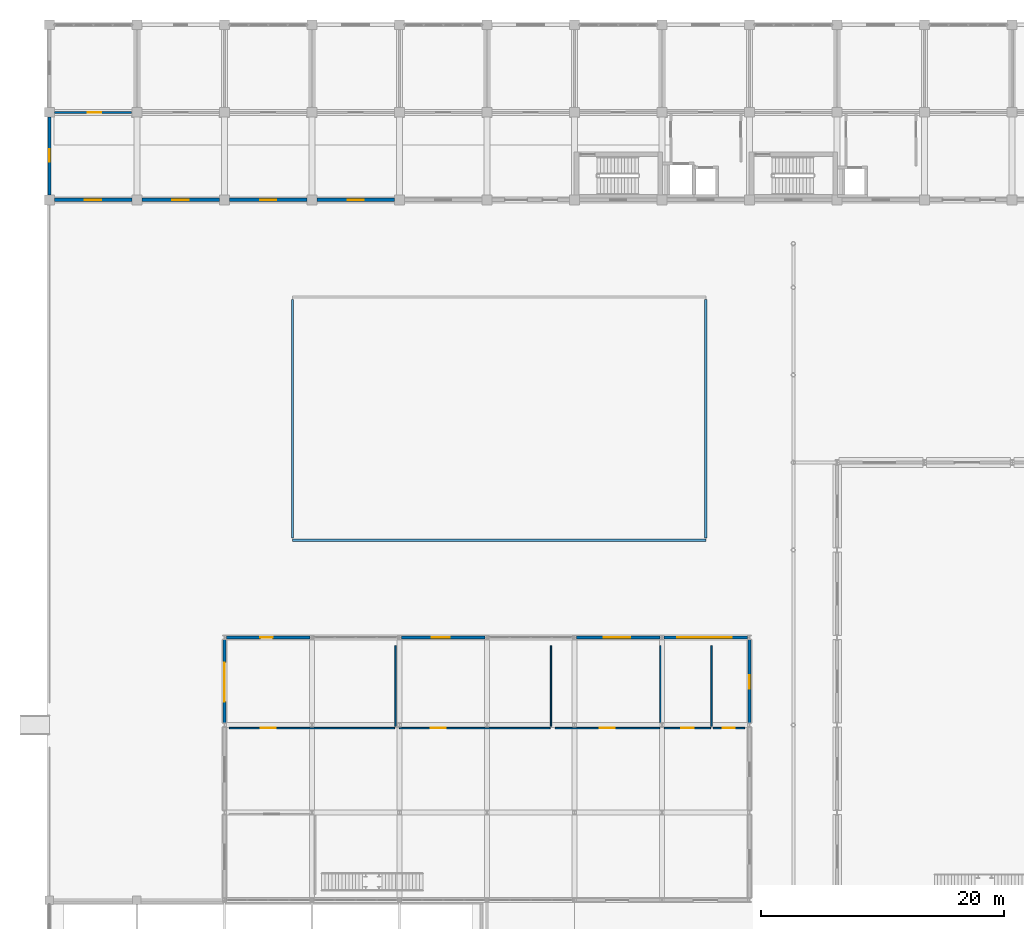
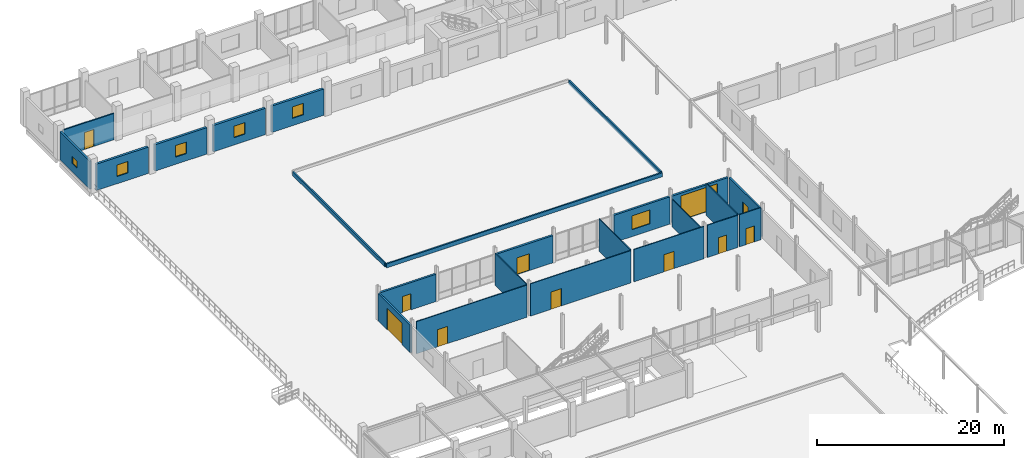
# One storey, part 115 of 139: 24 walls, 11 doors, 6 windows, 17 openings.
"""IFC4 building model written with IfcOpenShell, lengths in metres."""

from ifc_helpers import new_model, si_unit, direction, frame, frame_2d, origin, place, context, subcontext, project, spatial, rectangle, extrude, material, layer, layer_set, type_object, element, fill, save


model = new_model("IFC4")

# Units and contexts
model_context = context("Model", 3, precision=1e-05, world=origin(), true_north=direction((0.0, 1.0)))
body_context = subcontext(model_context, "Body", "Model", "MODEL_VIEW")
ifc_project = project(units=[si_unit("LENGTHUNIT", "METRE"), si_unit("AREAUNIT", "SQUARE_METRE"), si_unit("VOLUMEUNIT", "CUBIC_METRE"), si_unit("PLANEANGLEUNIT", "RADIAN"), si_unit("MASSUNIT", "GRAM", prefix="KILO")], contexts=[model_context])

# Site, building, storey
site_placement = place(None, origin())
site = spatial("IfcSite", under=ifc_project, at=site_placement, CompositionType="ELEMENT")
building_placement = place(site_placement, origin())
building = spatial("IfcBuilding", under=site, at=building_placement, Name="Suanplinth Sawtooth Commons", CompositionType="ELEMENT")
storey_placement = place(building_placement, origin())
storey = spatial("IfcBuildingStorey", under=building, at=storey_placement, Name="L00", CompositionType="ELEMENT", Elevation=0.0)

# Wall, opening, window
ifc_material_1 = material(Name="Precast concrete C40/50", Category="concrete")
ifc_layer_1 = layer(ifc_material_1, 0.280029296875, Name="Insulated precast architectural facade wall 280mm")
ifc_layer_set_1 = layer_set([ifc_layer_1], Name="Precast concrete C40/50")
wall_type_1 = type_object("IfcWallType", Name="W-EX01", PredefinedType="ELEMENTEDWALL", material=ifc_layer_set_1)
wall_1_placement = place(storey_placement, frame((0.39990234375, 108.0, 0.0), z_axis=(0.0, 0.0, 1.0), x_axis=(1.0, 0.0, 0.0)))
wall_1 = element("IfcWall", 1, at=wall_1_placement, inside=storey, type_object=wall_type_1, Name="Courtyard Wall W-L00-A-S-0", PredefinedType="ELEMENTEDWALL", context=body_context, shape_type="SweptSolid", body=[
    extrude(rectangle(XDim=6.400146484375, YDim=0.280029296875, at=frame_2d((3.2001953125, 0.0))), origin(), (0.0, 0.0, 1.0), 3.43505859375),
])
opening_1_placement = place(wall_1_placement, frame((2.52490234375, 0.0, 0.949951171875)))
opening_1 = element("IfcOpeningElement", 2, at=opening_1_placement, cuts=wall_1, Name="Opening W0074", PredefinedType="OPENING", context=body_context, shape_type="SweptSolid", body=[
    extrude(rectangle(XDim=1.35009765625, YDim=1.5, at=frame_2d((0.675048828125, 0.75))), frame((0.0, 0.15478515625, 0.0), z_axis=(0.0, -1.0, 0.0), x_axis=(1.0, 0.0, 0.0)), (0.0, 0.0, 1.0), 0.309814453125),
])
ifc_material_2 = material(Name="Thermally broken aluminium and low-E double glazing", Category="aluminium")
window_type_1 = type_object("IfcWindowType", Name="WN-14", PartitioningType="SINGLE_PANEL", PredefinedType="WINDOW", material=ifc_material_2)
window_1_placement = place(opening_1_placement, origin())
window_1 = element("IfcWindow", 3, at=window_1_placement, inside=storey, type_object=window_type_1, Name="Courtyard Window L00-A-0", OverallHeight=1.5, OverallWidth=1.35009765625, PartitioningType="SINGLE_PANEL", PredefinedType="WINDOW", context=body_context, shape_type="SweptSolid", body=[
    extrude(rectangle(XDim=1.35009765625, YDim=1.5, at=frame_2d((0.675048828125, 0.75))), frame((0.0, 0.030029296875, 0.0), z_axis=(0.0, -1.0, 0.0), x_axis=(1.0, 0.0, 0.0)), (0.0, 0.0, 1.0), 0.06005859375),
])
fill(opening_1, window_1)

wall_2_placement = place(storey_placement, frame((7.60009765625, 108.0, 0.0), z_axis=(0.0, 0.0, 1.0), x_axis=(1.0, 0.0, 0.0)))
wall_2 = element("IfcWall", 4, at=wall_2_placement, inside=storey, type_object=wall_type_1, Name="Courtyard Wall W-L00-A-S-1", PredefinedType="ELEMENTEDWALL", context=body_context, shape_type="SweptSolid", body=[
    extrude(rectangle(XDim=6.39990234375, YDim=0.280029296875, at=frame_2d((3.199951171875, 0.0))), origin(), (0.0, 0.0, 1.0), 3.43505859375),
])
opening_2_placement = place(wall_2_placement, frame((2.52490234375, 0.0, 0.949951171875)))
opening_2 = element("IfcOpeningElement", 5, at=opening_2_placement, cuts=wall_2, Name="Opening W0075", PredefinedType="OPENING", context=body_context, shape_type="SweptSolid", body=[
    extrude(rectangle(XDim=1.35009765625, YDim=1.5, at=frame_2d((0.675048828125, 0.75))), frame((0.0, 0.15478515625, 0.0), z_axis=(0.0, -1.0, 0.0), x_axis=(1.0, 0.0, 0.0)), (0.0, 0.0, 1.0), 0.309814453125),
])
window_2_placement = place(opening_2_placement, origin())
window_2 = element("IfcWindow", 6, at=window_2_placement, inside=storey, type_object=window_type_1, Name="Courtyard Window L00-A-1", OverallHeight=1.5, OverallWidth=1.35009765625, PartitioningType="SINGLE_PANEL", PredefinedType="WINDOW", context=body_context, shape_type="SweptSolid", body=[
    extrude(rectangle(XDim=1.35009765625, YDim=1.5, at=frame_2d((0.675048828125, 0.75))), frame((0.0, 0.030029296875, 0.0), z_axis=(0.0, -1.0, 0.0), x_axis=(1.0, 0.0, 0.0)), (0.0, 0.0, 1.0), 0.06005859375),
])
fill(opening_2, window_2)

wall_3_placement = place(storey_placement, frame((14.800048828125, 108.0, 0.0), z_axis=(0.0, 0.0, 1.0), x_axis=(1.0, 0.0, 0.0)))
wall_3 = element("IfcWall", 7, at=wall_3_placement, inside=storey, type_object=wall_type_1, Name="Courtyard Wall W-L00-A-S-2", PredefinedType="ELEMENTEDWALL", context=body_context, shape_type="SweptSolid", body=[
    extrude(rectangle(XDim=6.39990234375, YDim=0.280029296875, at=frame_2d((3.199951171875, 0.0))), origin(), (0.0, 0.0, 1.0), 3.43505859375),
])
opening_3_placement = place(wall_3_placement, frame((2.52490234375, 0.0, 0.949951171875)))
opening_3 = element("IfcOpeningElement", 8, at=opening_3_placement, cuts=wall_3, Name="Opening W0076", PredefinedType="OPENING", context=body_context, shape_type="SweptSolid", body=[
    extrude(rectangle(XDim=1.35009765625, YDim=1.5, at=frame_2d((0.675048828125, 0.75))), frame((0.0, 0.15478515625, 0.0), z_axis=(0.0, -1.0, 0.0), x_axis=(1.0, 0.0, 0.0)), (0.0, 0.0, 1.0), 0.309814453125),
])
window_3_placement = place(opening_3_placement, origin())
window_3 = element("IfcWindow", 9, at=window_3_placement, inside=storey, type_object=window_type_1, Name="Courtyard Window L00-A-2", OverallHeight=1.5, OverallWidth=1.35009765625, PartitioningType="SINGLE_PANEL", PredefinedType="WINDOW", context=body_context, shape_type="SweptSolid", body=[
    extrude(rectangle(XDim=1.35009765625, YDim=1.5, at=frame_2d((0.675048828125, 0.75))), frame((0.0, 0.030029296875, 0.0), z_axis=(0.0, -1.0, 0.0), x_axis=(1.0, 0.0, 0.0)), (0.0, 0.0, 1.0), 0.06005859375),
])
fill(opening_3, window_3)

wall_4_placement = place(storey_placement, frame((22.0, 108.0, 0.0), z_axis=(0.0, 0.0, 1.0), x_axis=(1.0, 0.0, 0.0)))
wall_4 = element("IfcWall", 10, at=wall_4_placement, inside=storey, type_object=wall_type_1, Name="Courtyard Wall W-L00-A-S-3", PredefinedType="ELEMENTEDWALL", context=body_context, shape_type="SweptSolid", body=[
    extrude(rectangle(XDim=6.39990234375, YDim=0.280029296875, at=frame_2d((3.199951171875, 0.0))), origin(), (0.0, 0.0, 1.0), 3.43505859375),
])
opening_4_placement = place(wall_4_placement, frame((2.52490234375, 0.0, 0.949951171875)))
opening_4 = element("IfcOpeningElement", 11, at=opening_4_placement, cuts=wall_4, Name="Opening W0078", PredefinedType="OPENING", context=body_context, shape_type="SweptSolid", body=[
    extrude(rectangle(XDim=1.35009765625, YDim=1.5, at=frame_2d((0.675048828125, 0.75))), frame((0.0, 0.15478515625, 0.0), z_axis=(0.0, -1.0, 0.0), x_axis=(1.0, 0.0, 0.0)), (0.0, 0.0, 1.0), 0.309814453125),
])
window_4_placement = place(opening_4_placement, origin())
window_4 = element("IfcWindow", 12, at=window_4_placement, inside=storey, type_object=window_type_1, Name="Courtyard Window L00-A-3", OverallHeight=1.5, OverallWidth=1.35009765625, PartitioningType="SINGLE_PANEL", PredefinedType="WINDOW", context=body_context, shape_type="SweptSolid", body=[
    extrude(rectangle(XDim=1.35009765625, YDim=1.5, at=frame_2d((0.675048828125, 0.75))), frame((0.0, 0.030029296875, 0.0), z_axis=(0.0, -1.0, 0.0), x_axis=(1.0, 0.0, 0.0)), (0.0, 0.0, 1.0), 0.06005859375),
])
fill(opening_4, window_4)

# Wall, opening, door
ifc_material_3 = material(Name="Autoclaved aerated concrete masonry", Category="masonry")
ifc_layer_2 = layer(ifc_material_3, 0.25, Name="Rendered AAC tropical cavity wall 250mm")
ifc_layer_set_2 = layer_set([ifc_layer_2], Name="Autoclaved aerated concrete masonry")
wall_type_2 = type_object("IfcWallType", Name="W-EX04", PredefinedType="SOLIDWALL", material=ifc_layer_set_2)
wall_5_placement = place(storey_placement, frame((14.550048828125, 72.0, 0.0), z_axis=(0.0, 0.0, 1.0), x_axis=(1.0, 0.0, 0.0)))
wall_5 = element("IfcWall", 13, at=wall_5_placement, inside=storey, type_object=wall_type_2, Name="Market North Service Wall 2", PredefinedType="SOLIDWALL", context=body_context, shape_type="SweptSolid", body=[
    extrude(rectangle(XDim=6.89990234375, YDim=0.25, at=frame_2d((3.449951171875, 0.0))), origin(), (0.0, 0.0, 1.0), 3.550048828125),
])
opening_5_placement = place(wall_5_placement, frame((2.800048828125, 0.0, 0.0)))
opening_5 = element("IfcOpeningElement", 14, at=opening_5_placement, cuts=wall_5, Name="Opening ED0012", PredefinedType="OPENING", context=body_context, shape_type="SweptSolid", body=[
    extrude(rectangle(XDim=1.02001953125, YDim=2.10009765625, at=frame_2d((0.510009765625, 1.050048828125))), frame((0.0, 0.139892578125, 0.0), z_axis=(0.0, -1.0, 0.0), x_axis=(1.0, 0.0, 0.0)), (0.0, 0.0, 1.0), 0.27978515625),
])
ifc_material_4 = material(Name="Anodized aluminium", Category="aluminium")
door_type_1 = type_object("IfcDoorType", Name="ED-09", OperationType="NOTDEFINED", PredefinedType="DOOR", material=ifc_material_4)
door_1_placement = place(opening_5_placement, frame((1.02001953125, 0.0, 0.0), z_axis=(0.0, 0.0, 1.0), x_axis=(-1.0, 0.0, 0.0)))
door_1 = element("IfcDoor", 15, at=door_1_placement, inside=storey, type_object=door_type_1, Name="Market Utility Access Door", OperationType="SINGLE_SWING_LEFT", OverallHeight=2.10009765625, OverallWidth=1.02001953125, PredefinedType="DOOR", context=body_context, shape_type="SweptSolid", body=[
    extrude(rectangle(XDim=1.02001953125, YDim=2.10009765625, at=frame_2d((0.510009765625, 1.050048828125))), frame((0.0, 0.02490234375, 0.0), z_axis=(0.0, -1.0, 0.0), x_axis=(1.0, 0.0, 0.0)), (0.0, 0.0, 1.0), 0.050048828125),
])
fill(opening_5, door_1)

wall_6_placement = place(storey_placement, frame((28.949951171875, 72.0, 0.0), z_axis=(0.0, 0.0, 1.0), x_axis=(1.0, 0.0, 0.0)))
wall_6 = element("IfcWall", 16, at=wall_6_placement, inside=storey, type_object=wall_type_2, Name="Market North Service Wall 4", PredefinedType="SOLIDWALL", context=body_context, shape_type="SweptSolid", body=[
    extrude(rectangle(XDim=6.900146484375, YDim=0.25, at=frame_2d((3.4501953125, 0.0))), origin(), (0.0, 0.0, 1.0), 3.550048828125),
])
opening_6_placement = place(wall_6_placement, frame((2.5, 0.0, 0.0)))
opening_6 = element("IfcOpeningElement", 17, at=opening_6_placement, cuts=wall_6, Name="Opening ED0013", PredefinedType="OPENING", context=body_context, shape_type="SweptSolid", body=[
    extrude(rectangle(XDim=1.5, YDim=2.199951171875, at=frame_2d((0.75, 1.10009765625))), frame((0.0, 0.139892578125, 0.0), z_axis=(0.0, -1.0, 0.0), x_axis=(1.0, 0.0, 0.0)), (0.0, 0.0, 1.0), 0.27978515625),
])
ifc_material_5 = material(Name="Galvanized painted steel", Category="steel")
door_type_2 = type_object("IfcDoorType", Name="ED-08", OperationType="DOUBLE_DOOR_SINGLE_SWING", PredefinedType="DOOR", material=ifc_material_5)
door_2_placement = place(opening_6_placement, frame((1.5, 0.0, 0.0), z_axis=(0.0, 0.0, 1.0), x_axis=(-1.0, 0.0, 0.0)))
door_2 = element("IfcDoor", 18, at=door_2_placement, inside=storey, type_object=door_type_2, Name="Market Cold-Store Service Double Door", OperationType="DOUBLE_DOOR_SINGLE_SWING", OverallHeight=2.199951171875, OverallWidth=1.5, PredefinedType="DOOR", context=body_context, shape_type="SweptSolid", body=[
    extrude(rectangle(XDim=1.5, YDim=2.199951171875, at=frame_2d((0.75, 1.10009765625))), frame((0.0, 0.02490234375, 0.0), z_axis=(0.0, -1.0, 0.0), x_axis=(1.0, 0.0, 0.0)), (0.0, 0.0, 1.0), 0.050048828125),
])
fill(opening_6, door_2)

# Wall, opening, window
wall_7_placement = place(storey_placement, frame((43.35009765625, 72.0, 0.0), z_axis=(0.0, 0.0, 1.0), x_axis=(1.0, 0.0, 0.0)))
wall_7 = element("IfcWall", 19, at=wall_7_placement, inside=storey, type_object=wall_type_2, Name="Market North Service Wall 6", PredefinedType="SOLIDWALL", context=body_context, shape_type="SweptSolid", body=[
    extrude(rectangle(XDim=6.89990234375, YDim=0.25, at=frame_2d((3.449951171875, 0.0))), origin(), (0.0, 0.0, 1.0), 3.550048828125),
])
opening_7_placement = place(wall_7_placement, frame((2.25, 0.0, 0.89990234375)))
opening_7 = element("IfcOpeningElement", 20, at=opening_7_placement, cuts=wall_7, Name="Opening W0061", PredefinedType="OPENING", context=body_context, shape_type="SweptSolid", body=[
    extrude(rectangle(XDim=2.199951171875, YDim=1.800048828125, at=frame_2d((1.10009765625, 0.89990234375))), frame((0.0, 0.139892578125, 0.0), z_axis=(0.0, -1.0, 0.0), x_axis=(1.0, 0.0, 0.0)), (0.0, 0.0, 1.0), 0.27978515625),
])
window_type_2 = type_object("IfcWindowType", Name="WN-11", PartitioningType="TRIPLE_PANEL_VERTICAL", PredefinedType="WINDOW", material=ifc_material_2)
window_5_placement = place(opening_7_placement, origin())
window_5 = element("IfcWindow", 21, at=window_5_placement, inside=storey, type_object=window_type_2, Name="Market Display Window 6", OverallHeight=1.800048828125, OverallWidth=2.199951171875, PartitioningType="TRIPLE_PANEL_VERTICAL", PredefinedType="WINDOW", context=body_context, shape_type="SweptSolid", body=[
    extrude(rectangle(XDim=2.199951171875, YDim=1.800048828125, at=frame_2d((1.10009765625, 0.89990234375))), frame((0.0, 0.030029296875, 0.0), z_axis=(0.0, -1.0, 0.0), x_axis=(1.0, 0.0, 0.0)), (0.0, 0.0, 1.0), 0.06005859375),
])
fill(opening_7, window_5)

# Wall, opening, door
wall_8_placement = place(storey_placement, frame((50.550048828125, 72.0, 0.0), z_axis=(0.0, 0.0, 1.0), x_axis=(1.0, 0.0, 0.0)))
wall_8 = element("IfcWall", 22, at=wall_8_placement, inside=storey, type_object=wall_type_2, Name="Market North Service Wall 7", PredefinedType="SOLIDWALL", context=body_context, shape_type="SweptSolid", body=[
    extrude(rectangle(XDim=6.89990234375, YDim=0.25, at=frame_2d((3.449951171875, 0.0))), origin(), (0.0, 0.0, 1.0), 3.550048828125),
])
opening_8_placement = place(wall_8_placement, frame((1.10009765625, 0.0, 0.0)))
opening_8 = element("IfcOpeningElement", 23, at=opening_8_placement, cuts=wall_8, Name="Opening G0016", PredefinedType="OPENING", context=body_context, shape_type="SweptSolid", body=[
    extrude(rectangle(XDim=4.5, YDim=3.199951171875, at=frame_2d((2.25, 1.60009765625))), frame((0.0, 0.139892578125, 0.0), z_axis=(0.0, -1.0, 0.0), x_axis=(1.0, 0.0, 0.0)), (0.0, 0.0, 1.0), 0.27978515625),
])
ifc_material_6 = material(Name="Perforated galvanized steel slats", Category="steel")
door_type_3 = type_object("IfcDoorType", Name="VG-02", OperationType="ROLLINGUP", PredefinedType="GATE", material=ifc_material_6)
door_3_placement = place(opening_8_placement, frame((4.5, 0.0, 0.0), z_axis=(0.0, 0.0, 1.0), x_axis=(-1.0, 0.0, 0.0)))
door_3 = element("IfcDoor", 24, at=door_3_placement, inside=storey, type_object=door_type_3, Name="Market Loading Bay Roller Shutter", OperationType="ROLLINGUP", OverallHeight=3.199951171875, OverallWidth=4.5, PredefinedType="GATE", context=body_context, shape_type="SweptSolid", body=[
    extrude(rectangle(XDim=4.5, YDim=3.199951171875, at=frame_2d((2.25, 1.60009765625))), frame((0.0, 0.02490234375, 0.0), z_axis=(0.0, -1.0, 0.0), x_axis=(1.0, 0.0, 0.0)), (0.0, 0.0, 1.0), 0.050048828125),
])
fill(opening_8, door_3)

ifc_layer_3 = layer(ifc_material_1, 0.219970703125, Name="Civic pavilion insulated facade wall 220mm")
ifc_layer_set_3 = layer_set([ifc_layer_3], Name="Precast concrete C40/50")
wall_type_3 = type_object("IfcWallType", Name="W-EX05", PredefinedType="ELEMENTEDWALL", material=ifc_layer_set_3)
wall_9_placement = place(storey_placement, frame((14.39990234375, 64.97998046875, 0.0), z_axis=(0.0, 0.0, 1.0), x_axis=(0.0, 1.0, 0.0)))
wall_9 = element("IfcWall", 25, at=wall_9_placement, inside=storey, type_object=wall_type_3, Name="Market W Wall L00-9", PredefinedType="ELEMENTEDWALL", context=body_context, shape_type="SweptSolid", body=[
    extrude(rectangle(XDim=6.840087890625, YDim=0.219970703125, at=frame_2d((3.419921875, 0.0))), origin(), (0.0, 0.0, 1.0), 3.5849609375),
])
opening_9_placement = place(wall_9_placement, frame((1.75, 0.0, 0.0)))
opening_9 = element("IfcOpeningElement", 26, at=opening_9_placement, cuts=wall_9, Name="Opening G0019", PredefinedType="OPENING", context=body_context, shape_type="SweptSolid", body=[
    extrude(rectangle(XDim=3.199951171875, YDim=2.800048828125, at=frame_2d((1.60009765625, 1.39990234375))), frame((0.0, 0.125, 0.0), z_axis=(0.0, -1.0, 0.0), x_axis=(1.0, 0.0, 0.0)), (0.0, 0.0, 1.0), 0.249755859375),
])
ifc_material_7 = material(Name="Galvanized steel slats", Category="steel")
door_type_4 = type_object("IfcDoorType", Name="VG-06", OperationType="ROLLINGUP", PredefinedType="GATE", material=ifc_material_7)
door_4_placement = place(opening_9_placement, frame((3.199951171875, 0.0, 0.0), z_axis=(0.0, 0.0, 1.0), x_axis=(-1.0, 0.0, 0.0)))
door_4 = element("IfcDoor", 27, at=door_4_placement, inside=storey, type_object=door_type_4, Name="Market Service Bay Gate", OperationType="ROLLINGUP", OverallHeight=2.800048828125, OverallWidth=3.199951171875, PredefinedType="GATE", context=body_context, shape_type="SweptSolid", body=[
    extrude(rectangle(XDim=3.199951171875, YDim=2.800048828125, at=frame_2d((1.60009765625, 1.39990234375))), frame((0.0, 0.02490234375, 0.0), z_axis=(0.0, -1.0, 0.0), x_axis=(1.0, 0.0, 0.0)), (0.0, 0.0, 1.0), 0.050048828125),
])
fill(opening_9, door_4)

wall_10_placement = place(storey_placement, frame((57.60009765625, 64.97998046875, 0.0), z_axis=(0.0, 0.0, 1.0), x_axis=(0.0, 1.0, 0.0)))
wall_10 = element("IfcWall", 28, at=wall_10_placement, inside=storey, type_object=wall_type_3, Name="Market E Wall L00-9", PredefinedType="ELEMENTEDWALL", context=body_context, shape_type="SweptSolid", body=[
    extrude(rectangle(XDim=6.840087890625, YDim=0.219970703125, at=frame_2d((3.419921875, 0.0))), origin(), (0.0, 0.0, 1.0), 3.5849609375),
])
opening_10_placement = place(wall_10_placement, frame((2.800048828125, 0.0, 0.0)))
opening_10 = element("IfcOpeningElement", 29, at=opening_10_placement, cuts=wall_10, Name="Opening ED0020", PredefinedType="OPENING", context=body_context, shape_type="SweptSolid", body=[
    extrude(rectangle(XDim=1.10009765625, YDim=2.199951171875, at=frame_2d((0.550048828125, 1.10009765625))), frame((0.0, 0.125, 0.0), z_axis=(0.0, -1.0, 0.0), x_axis=(1.0, 0.0, 0.0)), (0.0, 0.0, 1.0), 0.249755859375),
])
ifc_material_8 = material(Name="Anodized aluminium and clear glass", Category="aluminium")
door_type_5 = type_object("IfcDoorType", Name="ED-06", OperationType="NOTDEFINED", PredefinedType="DOOR", material=ifc_material_8)
door_5_placement = place(opening_10_placement, frame((1.10009765625, 0.0, 0.0), z_axis=(0.0, 0.0, 1.0), x_axis=(-1.0, 0.0, 0.0)))
door_5 = element("IfcDoor", 30, at=door_5_placement, inside=storey, type_object=door_type_5, Name="Market East Arcade Shopfront Door 9", OperationType="SINGLE_SWING_LEFT", OverallHeight=2.199951171875, OverallWidth=1.10009765625, PredefinedType="DOOR", context=body_context, shape_type="SweptSolid", body=[
    extrude(rectangle(XDim=1.10009765625, YDim=2.199951171875, at=frame_2d((0.550048828125, 1.10009765625))), frame((0.0, 0.02490234375, 0.0), z_axis=(0.0, -1.0, 0.0), x_axis=(1.0, 0.0, 0.0)), (0.0, 0.0, 1.0), 0.050048828125),
])
fill(opening_10, door_5)

# Wall, opening, window
ifc_layer_4 = layer(ifc_material_1, 0.22998046875, Name="Stepped terrace insulated precast wall 230mm")
ifc_layer_set_4 = layer_set([ifc_layer_4], Name="Precast concrete C40/50")
wall_type_4 = type_object("IfcWallType", Name="W-EX06", PredefinedType="ELEMENTEDWALL", material=ifc_layer_set_4)
wall_11_placement = place(storey_placement, frame((0.0, 108.39990234375, 0.0), z_axis=(0.0, 0.0, 1.0), x_axis=(0.0, 1.0, 0.0)))
wall_11 = element("IfcWall", 31, at=wall_11_placement, inside=storey, type_object=wall_type_4, Name="End Wall W-L00-A-W-15", PredefinedType="ELEMENTEDWALL", context=body_context, shape_type="SweptSolid", body=[
    extrude(rectangle(XDim=6.400146484375, YDim=0.22998046875, at=frame_2d((3.2001953125, 0.0))), origin(), (0.0, 0.0, 1.0), 3.6650390625),
])
opening_11_placement = place(wall_11_placement, frame((2.75, 0.0, 1.10009765625)))
opening_11 = element("IfcOpeningElement", 32, at=opening_11_placement, cuts=wall_11, Name="Opening W0095", PredefinedType="OPENING", context=body_context, shape_type="SweptSolid", body=[
    extrude(rectangle(XDim=1.0, YDim=0.89990234375, at=frame_2d((0.5, 0.449951171875))), frame((0.0, 0.1298828125, 0.0), z_axis=(0.0, -1.0, 0.0), x_axis=(1.0, 0.0, 0.0)), (0.0, 0.0, 1.0), 0.259765625),
])
window_type_3 = type_object("IfcWindowType", Name="WN-12", PartitioningType="SINGLE_PANEL", PredefinedType="WINDOW", material=ifc_material_2)
window_6_placement = place(opening_11_placement, origin())
window_6 = element("IfcWindow", 33, at=window_6_placement, inside=storey, type_object=window_type_3, Name="End Window L00-A-W-15", OverallHeight=0.89990234375, OverallWidth=1.0, PartitioningType="SINGLE_PANEL", PredefinedType="WINDOW", context=body_context, shape_type="SweptSolid", body=[
    extrude(rectangle(XDim=1.0, YDim=0.89990234375, at=frame_2d((0.5, 0.449951171875))), frame((0.0, 0.030029296875, 0.0), z_axis=(0.0, -1.0, 0.0), x_axis=(1.0, 0.0, 0.0)), (0.0, 0.0, 1.0), 0.06005859375),
])
fill(opening_11, window_6)

# Wall, opening, door
ifc_layer_5 = layer(ifc_material_1, 0.159912109375, Name="Fire-rated corridor and lobby wall 160mm")
ifc_layer_set_5 = layer_set([ifc_layer_5], Name="Precast concrete C40/50")
wall_type_5 = type_object("IfcWallType", Name="W-FW01", PredefinedType="PARTITIONING", material=ifc_layer_set_5)
wall_12_placement = place(storey_placement, frame((0.429931640625, 115.199951171875, 0.0), z_axis=(0.0, 0.0, 1.0), x_axis=(1.0, 0.0, 0.0)))
wall_12 = element("IfcWall", 34, at=wall_12_placement, inside=storey, type_object=wall_type_5, Name="W-A-L00-GROUNDROOM-0-COR", PredefinedType="PARTITIONING", context=body_context, shape_type="SweptSolid", body=[
    extrude(rectangle(XDim=6.340087890625, YDim=0.159912109375, at=frame_2d((3.169921875, 0.0))), origin(), (0.0, 0.0, 1.0), 3.43505859375),
])
opening_12_placement = place(wall_12_placement, frame((2.7099609375, 0.0, 0.0)))
opening_12 = element("IfcOpeningElement", 35, at=opening_12_placement, cuts=wall_12, Name="Opening D0470", PredefinedType="OPENING", context=body_context, shape_type="SweptSolid", body=[
    extrude(rectangle(XDim=1.1201171875, YDim=2.199951171875, at=frame_2d((0.56005859375, 1.10009765625))), frame((0.0, 0.0947265625, 0.0), z_axis=(0.0, -1.0, 0.0), x_axis=(1.0, 0.0, 0.0)), (0.0, 0.0, 1.0), 0.189697265625),
])
ifc_material_9 = material(Name="Teak hardwood", Category="wood")
door_type_6 = type_object("IfcDoorType", Name="D-18", OperationType="NOTDEFINED", PredefinedType="DOOR", material=ifc_material_9)
door_6_placement = place(opening_12_placement, origin())
door_6 = element("IfcDoor", 36, at=door_6_placement, inside=storey, type_object=door_type_6, Name="Unit Entrance Door D0470", OperationType="SINGLE_SWING_RIGHT", OverallHeight=2.199951171875, OverallWidth=1.1201171875, PredefinedType="DOOR", context=body_context, shape_type="SweptSolid", body=[
    extrude(rectangle(XDim=1.1201171875, YDim=2.199951171875, at=frame_2d((0.56005859375, 1.10009765625))), frame((0.0, 0.02490234375, 0.0), z_axis=(0.0, -1.0, 0.0), x_axis=(1.0, 0.0, 0.0)), (0.0, 0.0, 1.0), 0.050048828125),
])
fill(opening_12, door_6)

# Walls
ifc_layer_6 = layer(ifc_material_1, 0.179931640625, Name="Terrace & courtyard planter kerb wall 180mm")
ifc_layer_set_6 = layer_set([ifc_layer_6], Name="Precast concrete C40/50")
wall_type_6 = type_object("IfcWallType", Name="W-PR02", PredefinedType="PARAPET", material=ifc_layer_set_6)
wall_13_placement = place(storey_placement, frame((20.0, 80.0, 0.0), z_axis=(0.0, 0.0, 1.0), x_axis=(1.0, 0.0, 0.0)))
element("IfcWall", 37, at=wall_13_placement, inside=storey, type_object=wall_type_6, Name="North-West Courtyard Tropical Rain Garden Kerb S", PredefinedType="PARAPET", context=body_context, shape_type="SweptSolid", body=[
    extrude(rectangle(XDim=34.0, YDim=0.179931640625, at=frame_2d((17.0, 0.0))), origin(), (0.0, 0.0, 1.0), 0.52001953125),
])
for number, where, z_axis, x_axis, name in (
    (38, (20.0, 80.179931640625, 0.0), (0.0, 0.0, 1.0), (0.0, 1.0, 0.0), "North-West Courtyard Tropical Rain Garden Kerb W"),
    (39, (54.0, 80.179931640625, 0.0), (0.0, 0.0, 1.0), (0.0, 1.0, 0.0), "North-West Courtyard Tropical Rain Garden Kerb E"),
):
    element("IfcWall", number, at=place(storey_placement, frame(where, z_axis=z_axis, x_axis=x_axis)), inside=storey, type_object=wall_type_6, Name=name, PredefinedType="PARAPET", context=body_context, shape_type="SweptSolid", body=[
        extrude(rectangle(XDim=19.64013671875, YDim=0.179931640625, at=frame_2d((9.820068359375, 0.0))), origin(), (0.0, 0.0, 1.0), 0.52001953125),
    ])

# Wall, opening, door
ifc_material_10 = material(Name="Gypsum plasterboard on steel stud", Category="steel")
ifc_layer_7 = layer(ifc_material_10, 0.110107421875, Name="Civic classroom and clinic partition 110mm")
ifc_layer_set_7 = layer_set([ifc_layer_7], Name="Gypsum plasterboard on steel stud")
wall_type_7 = type_object("IfcWallType", Name="W-PT04", PredefinedType="PARTITIONING", material=ifc_layer_set_7)
wall_14_placement = place(storey_placement, frame((14.800048828125, 64.5400390625, 0.0), z_axis=(0.0, 0.0, 1.0), x_axis=(1.0, 0.0, 0.0)))
wall_14 = element("IfcWall", 40, at=wall_14_placement, inside=storey, type_object=wall_type_7, Name="W-L00-MKT-GROCER-S", PredefinedType="PARTITIONING", context=body_context, shape_type="SweptSolid", body=[
    extrude(rectangle(XDim=13.599853515625, YDim=0.110107421875, at=frame_2d((6.7998046875, 0.0))), origin(), (0.0, 0.0, 1.0), 4.199951171875),
])
opening_13_placement = place(wall_14_placement, frame((2.574951171875, 0.0, 0.0)))
opening_13 = element("IfcOpeningElement", 41, at=opening_13_placement, cuts=wall_14, Name="Opening D0459", PredefinedType="OPENING", context=body_context, shape_type="SweptSolid", body=[
    extrude(rectangle(XDim=1.25, YDim=2.25, at=frame_2d((0.625, 1.125))), frame((0.0, 0.06982421875, 0.0), z_axis=(0.0, -1.0, 0.0), x_axis=(1.0, 0.0, 0.0)), (0.0, 0.0, 1.0), 0.139892578125),
])
door_type_7 = type_object("IfcDoorType", Name="D-08", OperationType="NOTDEFINED", PredefinedType="DOOR", material=ifc_material_9)
door_7_placement = place(opening_13_placement, origin())
door_7 = element("IfcDoor", 42, at=door_7_placement, inside=storey, type_object=door_type_7, Name="Civic Room Door D0459", OperationType="SINGLE_SWING_LEFT", OverallHeight=2.25, OverallWidth=1.25, PredefinedType="DOOR", context=body_context, shape_type="SweptSolid", body=[
    extrude(rectangle(XDim=1.25, YDim=2.25, at=frame_2d((0.625, 1.125))), frame((0.0, 0.02490234375, 0.0), z_axis=(0.0, -1.0, 0.0), x_axis=(1.0, 0.0, 0.0)), (0.0, 0.0, 1.0), 0.050048828125),
])
fill(opening_13, door_7)

# Wall
wall_15_placement = place(storey_placement, frame((28.4599609375, 64.679931640625, 0.0), z_axis=(0.0, 0.0, 1.0), x_axis=(0.0, 1.0, 0.0)))
element("IfcWall", 43, at=wall_15_placement, inside=storey, type_object=wall_type_7, Name="W-L00-MKT-GROCER-E", PredefinedType="PARTITIONING", context=body_context, shape_type="SweptSolid", body=[
    extrude(rectangle(XDim=6.64013671875, YDim=0.110107421875, at=frame_2d((3.320068359375, 0.0))), origin(), (0.0, 0.0, 1.0), 4.199951171875),
])

# Wall, opening, door
wall_16_placement = place(storey_placement, frame((28.800048828125, 64.5400390625, 0.0), z_axis=(0.0, 0.0, 1.0), x_axis=(1.0, 0.0, 0.0)))
wall_16 = element("IfcWall", 44, at=wall_16_placement, inside=storey, type_object=wall_type_7, Name="W-L00-MKT-REPAIR-S", PredefinedType="PARTITIONING", context=body_context, shape_type="SweptSolid", body=[
    extrude(rectangle(XDim=12.39990234375, YDim=0.110107421875, at=frame_2d((6.199951171875, 0.0))), origin(), (0.0, 0.0, 1.0), 4.199951171875),
])
opening_14_placement = place(wall_16_placement, frame((2.574951171875, 0.0, 0.0)))
opening_14 = element("IfcOpeningElement", 45, at=opening_14_placement, cuts=wall_16, Name="Opening D0460", PredefinedType="OPENING", context=body_context, shape_type="SweptSolid", body=[
    extrude(rectangle(XDim=1.25, YDim=2.25, at=frame_2d((0.625, 1.125))), frame((0.0, 0.06982421875, 0.0), z_axis=(0.0, -1.0, 0.0), x_axis=(1.0, 0.0, 0.0)), (0.0, 0.0, 1.0), 0.139892578125),
])
door_8_placement = place(opening_14_placement, origin())
door_8 = element("IfcDoor", 46, at=door_8_placement, inside=storey, type_object=door_type_7, Name="Civic Room Door D0460", OperationType="SINGLE_SWING_RIGHT", OverallHeight=2.25, OverallWidth=1.25, PredefinedType="DOOR", context=body_context, shape_type="SweptSolid", body=[
    extrude(rectangle(XDim=1.25, YDim=2.25, at=frame_2d((0.625, 1.125))), frame((0.0, 0.02490234375, 0.0), z_axis=(0.0, -1.0, 0.0), x_axis=(1.0, 0.0, 0.0)), (0.0, 0.0, 1.0), 0.050048828125),
])
fill(opening_14, door_8)

# Wall
wall_17_placement = place(storey_placement, frame((41.260009765625, 64.679931640625, 0.0), z_axis=(0.0, 0.0, 1.0), x_axis=(0.0, 1.0, 0.0)))
element("IfcWall", 47, at=wall_17_placement, inside=storey, type_object=wall_type_7, Name="W-L00-MKT-REPAIR-E", PredefinedType="PARTITIONING", context=body_context, shape_type="SweptSolid", body=[
    extrude(rectangle(XDim=6.64013671875, YDim=0.110107421875, at=frame_2d((3.320068359375, 0.0))), origin(), (0.0, 0.0, 1.0), 4.199951171875),
])

# Wall, opening, door
wall_18_placement = place(storey_placement, frame((41.60009765625, 64.5400390625, 0.0), z_axis=(0.0, 0.0, 1.0), x_axis=(1.0, 0.0, 0.0)))
wall_18 = element("IfcWall", 48, at=wall_18_placement, inside=storey, type_object=wall_type_7, Name="W-L00-MKT-COLD-S", PredefinedType="PARTITIONING", context=body_context, shape_type="SweptSolid", body=[
    extrude(rectangle(XDim=8.599853515625, YDim=0.110107421875, at=frame_2d((4.2998046875, 0.0))), origin(), (0.0, 0.0, 1.0), 4.199951171875),
])
opening_15_placement = place(wall_18_placement, frame((3.675048828125, 0.0, 0.0)))
opening_15 = element("IfcOpeningElement", 49, at=opening_15_placement, cuts=wall_18, Name="Opening D0461", PredefinedType="OPENING", context=body_context, shape_type="SweptSolid", body=[
    extrude(rectangle(XDim=1.25, YDim=2.25, at=frame_2d((0.625, 1.125))), frame((0.0, 0.06982421875, 0.0), z_axis=(0.0, -1.0, 0.0), x_axis=(1.0, 0.0, 0.0)), (0.0, 0.0, 1.0), 0.139892578125),
])
door_9_placement = place(opening_15_placement, origin())
door_9 = element("IfcDoor", 50, at=door_9_placement, inside=storey, type_object=door_type_7, Name="Civic Room Door D0461", OperationType="SINGLE_SWING_LEFT", OverallHeight=2.25, OverallWidth=1.25, PredefinedType="DOOR", context=body_context, shape_type="SweptSolid", body=[
    extrude(rectangle(XDim=1.25, YDim=2.25, at=frame_2d((0.625, 1.125))), frame((0.0, 0.02490234375, 0.0), z_axis=(0.0, -1.0, 0.0), x_axis=(1.0, 0.0, 0.0)), (0.0, 0.0, 1.0), 0.050048828125),
])
fill(opening_15, door_9)

# Wall
wall_19_placement = place(storey_placement, frame((50.260009765625, 64.97998046875, 0.0), z_axis=(0.0, 0.0, 1.0), x_axis=(0.0, 1.0, 0.0)))
element("IfcWall", 51, at=wall_19_placement, inside=storey, type_object=wall_type_7, Name="W-L00-MKT-COLD-E", PredefinedType="PARTITIONING", context=body_context, shape_type="SweptSolid", body=[
    extrude(rectangle(XDim=6.340087890625, YDim=0.110107421875, at=frame_2d((3.169921875, 0.0))), origin(), (0.0, 0.0, 1.0), 3.5849609375),
])

# Wall, opening, door
wall_20_placement = place(storey_placement, frame((50.60009765625, 64.5400390625, 0.0), z_axis=(0.0, 0.0, 1.0), x_axis=(1.0, 0.0, 0.0)))
wall_20 = element("IfcWall", 52, at=wall_20_placement, inside=storey, type_object=wall_type_7, Name="W-L00-MKT-WCP-S", PredefinedType="PARTITIONING", context=body_context, shape_type="SweptSolid", body=[
    extrude(rectangle(XDim=3.7998046875, YDim=0.110107421875, at=frame_2d((1.89990234375, 0.0))), origin(), (0.0, 0.0, 1.0), 4.199951171875),
])
opening_16_placement = place(wall_20_placement, frame((1.39990234375, 0.0, 0.0)))
opening_16 = element("IfcOpeningElement", 53, at=opening_16_placement, cuts=wall_20, Name="Opening D0462", PredefinedType="OPENING", context=body_context, shape_type="SweptSolid", body=[
    extrude(rectangle(XDim=1.0, YDim=2.10009765625, at=frame_2d((0.5, 1.050048828125))), frame((0.0, 0.06982421875, 0.0), z_axis=(0.0, -1.0, 0.0), x_axis=(1.0, 0.0, 0.0)), (0.0, 0.0, 1.0), 0.139892578125),
])
door_type_8 = type_object("IfcDoorType", Name="D-04", OperationType="NOTDEFINED", PredefinedType="DOOR", material=ifc_material_9)
door_10_placement = place(opening_16_placement, origin())
door_10 = element("IfcDoor", 54, at=door_10_placement, inside=storey, type_object=door_type_8, Name="Civic Room Door D0462", OperationType="SINGLE_SWING_RIGHT", OverallHeight=2.10009765625, OverallWidth=1.0, PredefinedType="DOOR", context=body_context, shape_type="SweptSolid", body=[
    extrude(rectangle(XDim=1.0, YDim=2.10009765625, at=frame_2d((0.5, 1.050048828125))), frame((0.0, 0.02490234375, 0.0), z_axis=(0.0, -1.0, 0.0), x_axis=(1.0, 0.0, 0.0)), (0.0, 0.0, 1.0), 0.050048828125),
])
fill(opening_16, door_10)

# Wall
wall_21_placement = place(storey_placement, frame((54.4599609375, 64.679931640625, 0.0), z_axis=(0.0, 0.0, 1.0), x_axis=(0.0, 1.0, 0.0)))
element("IfcWall", 55, at=wall_21_placement, inside=storey, type_object=wall_type_7, Name="W-L00-MKT-WCP-E", PredefinedType="PARTITIONING", context=body_context, shape_type="SweptSolid", body=[
    extrude(rectangle(XDim=6.64013671875, YDim=0.110107421875, at=frame_2d((3.320068359375, 0.0))), origin(), (0.0, 0.0, 1.0), 4.199951171875),
])

# Wall, opening, door
wall_22_placement = place(storey_placement, frame((54.60009765625, 64.5400390625, 0.0), z_axis=(0.0, 0.0, 1.0), x_axis=(1.0, 0.0, 0.0)))
wall_22 = element("IfcWall", 56, at=wall_22_placement, inside=storey, type_object=wall_type_7, Name="W-L00-MKT-WCACC-S", PredefinedType="PARTITIONING", context=body_context, shape_type="SweptSolid", body=[
    extrude(rectangle(XDim=2.599853515625, YDim=0.110107421875, at=frame_2d((1.2998046875, 0.0))), origin(), (0.0, 0.0, 1.0), 4.199951171875),
])
opening_17_placement = place(wall_22_placement, frame((0.800048828125, 0.0, 0.0)))
opening_17 = element("IfcOpeningElement", 57, at=opening_17_placement, cuts=wall_22, Name="Opening D0463", PredefinedType="OPENING", context=body_context, shape_type="SweptSolid", body=[
    extrude(rectangle(XDim=1.0, YDim=2.10009765625, at=frame_2d((0.5, 1.050048828125))), frame((0.0, 0.06982421875, 0.0), z_axis=(0.0, -1.0, 0.0), x_axis=(1.0, 0.0, 0.0)), (0.0, 0.0, 1.0), 0.139892578125),
])
door_11_placement = place(opening_17_placement, origin())
door_11 = element("IfcDoor", 58, at=door_11_placement, inside=storey, type_object=door_type_8, Name="Civic Room Door D0463", OperationType="SINGLE_SWING_LEFT", OverallHeight=2.10009765625, OverallWidth=1.0, PredefinedType="DOOR", context=body_context, shape_type="SweptSolid", body=[
    extrude(rectangle(XDim=1.0, YDim=2.10009765625, at=frame_2d((0.5, 1.050048828125))), frame((0.0, 0.02490234375, 0.0), z_axis=(0.0, -1.0, 0.0), x_axis=(1.0, 0.0, 0.0)), (0.0, 0.0, 1.0), 0.050048828125),
])
fill(opening_17, door_11)

save(model, "model.ifc")
